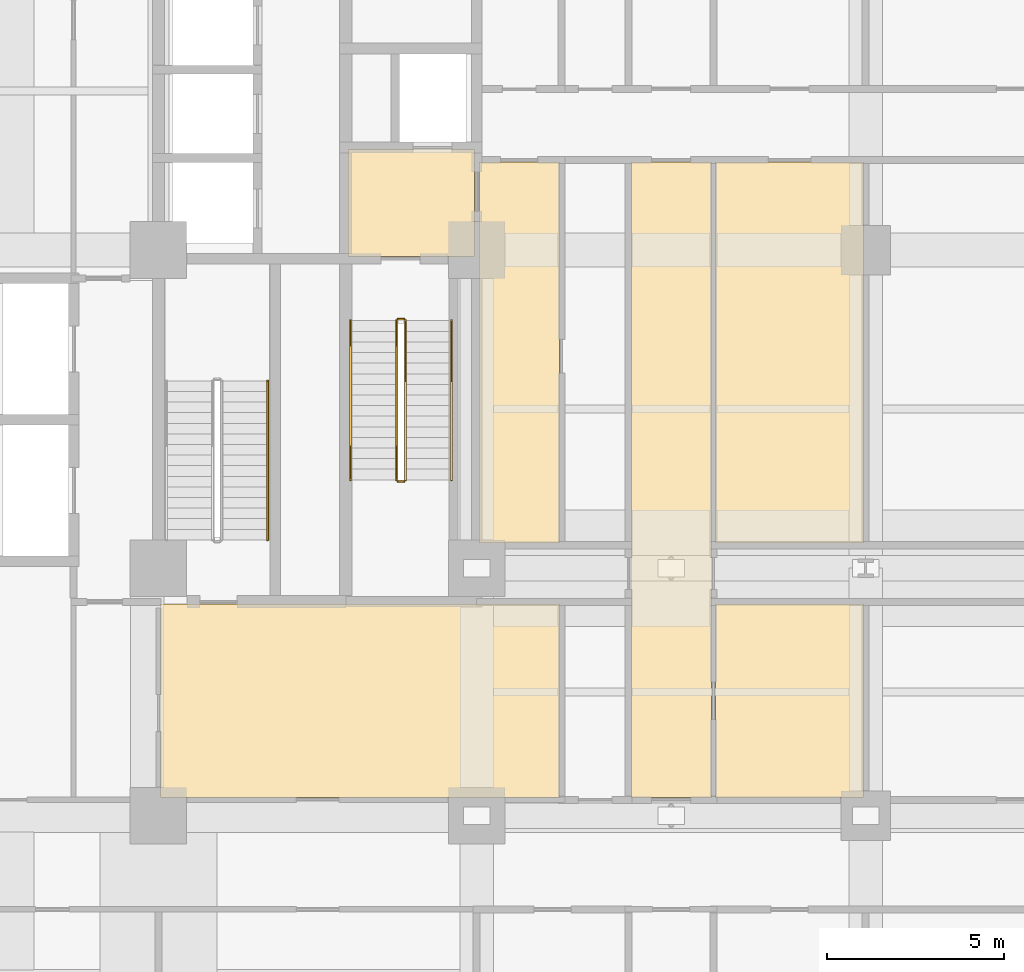
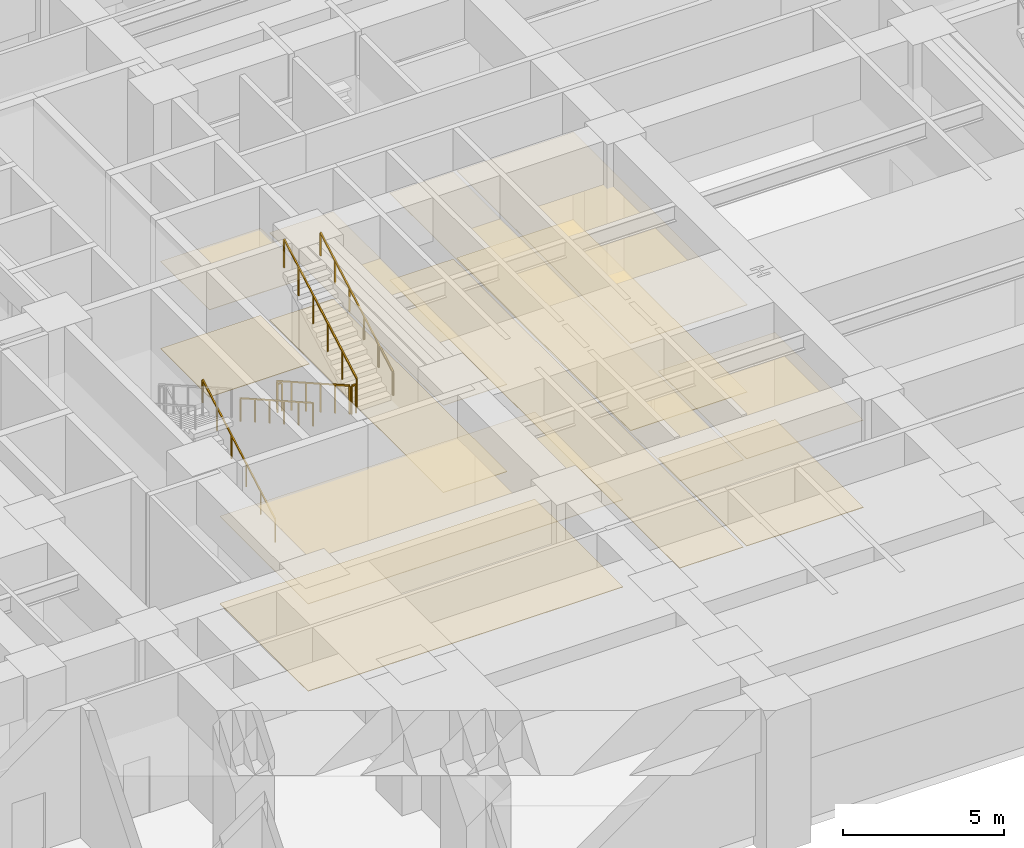
# One storey, part 18 of 22: 12 coverings, 7 railings.
"""IFC4 building model written with IfcOpenShell, lengths in metres."""

import ifcopenshell
import ifcopenshell.guid

model = None  # the IFC model being written
_history = None  # IfcOwnerHistory: only IFC2X3 demands one
_inside = {}  # id of a spatial element -> (the spatial element, [elements in it])
_under = {}  # id of a project, library or spatial element -> (it, [spatial elements below it])
_declared = {}  # id of a project -> (the project, [libraries it declares])
_typed = {}  # id of a type object -> (the type object, [elements of that type])
_made_of = {}  # id of a material, layer set ... -> (it, [elements and type objects made of it])


def new_model(schema):
    """Start an empty IFC model of exactly this schema.

    Asked for "IFC4X3", IfcOpenShell would pick the latest addendum, in which some entities
    have other attributes; the version numbers below select the first issue.
    IFC2X3 requires an IfcOwnerHistory on every rooted entity: one is made here for all.
    """
    global model, _history
    if schema == "IFC4X3":
        model = ifcopenshell.file(schema_version=(4, 3, 0, 0))
    else:
        model = ifcopenshell.file(schema=schema)
    _inside.clear()
    _under.clear()
    _declared.clear()
    _typed.clear()
    _made_of.clear()
    _history = None
    if model.schema == "IFC2X3":
        org = make("IfcOrganization", Name="unknown")
        user = make(
            "IfcPersonAndOrganization",
            ThePerson=make("IfcPerson", FamilyName="unknown"),
            TheOrganization=org,
        )
        app = make(
            "IfcApplication",
            ApplicationDeveloper=org,
            Version="unknown",
            ApplicationFullName="unknown",
            ApplicationIdentifier="unknown",
        )
        _history = make(
            "IfcOwnerHistory",
            OwningUser=user,
            OwningApplication=app,
            ChangeAction="ADDED",
            CreationDate=0,
        )
    return model


def make(cls, **values):
    """One entity of the class cls with the attributes given. An attribute that is None is left unset."""
    return model.create_entity(
        cls, **{name: value for name, value in values.items() if value is not None}
    )


def rooted(cls, **values):
    """An entity with a GlobalId (a new one), such as an element, a storey or a relation."""
    return make(cls, GlobalId=ifcopenshell.guid.new(), OwnerHistory=_history, **values)


def si_unit(unit_type, name, prefix=None):
    """IfcSIUnit, for example si_unit("LENGTHUNIT", "METRE", prefix="MILLI")."""
    return make("IfcSIUnit", UnitType=unit_type, Prefix=prefix, Name=name)


def assignment(units):
    """IfcUnitAssignment: the units of a project."""
    return None if units is None else make("IfcUnitAssignment", Units=units)


def point(xyz):
    """IfcCartesianPoint."""
    return None if xyz is None else make("IfcCartesianPoint", Coordinates=xyz)


def direction(xyz):
    """IfcDirection."""
    return None if xyz is None else make("IfcDirection", DirectionRatios=xyz)


def frame(location, z_axis=None, x_axis=None):
    """IfcAxis2Placement3D, a coordinate frame: its origin and axes. An axis left out is left unset."""
    return make(
        "IfcAxis2Placement3D",
        Location=point(location),
        Axis=direction(z_axis),
        RefDirection=direction(x_axis),
    )


def frame_2d(location, x_axis=None):
    """IfcAxis2Placement2D, a coordinate frame in the plane: its origin and x axis."""
    return make(
        "IfcAxis2Placement2D", Location=point(location), RefDirection=direction(x_axis)
    )


def origin():
    """The frame at (0, 0, 0) with its axes left unset."""
    return frame((0.0, 0.0, 0.0))


def origin_2d():
    """The frame at (0, 0) in the plane with its x axis left unset."""
    return frame_2d((0.0, 0.0))


def place(relative_to, where):
    """IfcLocalPlacement: puts the frame where relative to a parent placement (None: the world)."""
    return make(
        "IfcLocalPlacement", PlacementRelTo=relative_to, RelativePlacement=where
    )


def context(
    kind, dimensions, precision=None, world=None, true_north=None, identifier=None
):
    """IfcGeometricRepresentationContext, for example the 3D "Model" context."""
    return make(
        "IfcGeometricRepresentationContext",
        ContextIdentifier=identifier,
        ContextType=kind,
        CoordinateSpaceDimension=dimensions,
        Precision=precision,
        WorldCoordinateSystem=world,
        TrueNorth=true_north,
    )


def subcontext(parent, identifier, kind, view, scale=None):
    """IfcGeometricRepresentationSubContext, for example "Body" below "Model"."""
    return make(
        "IfcGeometricRepresentationSubContext",
        ContextIdentifier=identifier,
        ContextType=kind,
        ParentContext=parent,
        TargetScale=scale,
        TargetView=view,
    )


def project(units=None, contexts=None):
    """IfcProject with its units and contexts."""
    return rooted(
        "IfcProject",
        Name="project",
        RepresentationContexts=contexts,
        UnitsInContext=assignment(units),
    )


def spatial(cls, under=None, at=None, **own):
    """A site, building, storey or space (cls), placed at a placement, below another one or the project."""
    s = rooted(cls, ObjectPlacement=at, **own)
    if under is not None:
        _under.setdefault(under.id(), (under, []))[1].append(s)
    return s


def polyline(points):
    """IfcPolyline through the points."""
    return make("IfcPolyline", Points=[point(p) for p in points])


def profile(cls, at=None, kind="AREA", **sizes):
    """A parametric profile (cls). Its sizes go by their IFC names, for example OverallWidth=200.0."""
    return make(cls, ProfileType=kind, Position=at, **sizes)


def rectangle(**sizes):
    """IfcRectangleProfileDef."""
    return profile("IfcRectangleProfileDef", **sizes)


def outline(outer, holes=None, kind="AREA"):
    """IfcArbitraryClosedProfileDef: a profile drawn as a closed curve; with holes, ...WithVoids."""
    if holes is None:
        return make("IfcArbitraryClosedProfileDef", ProfileType=kind, OuterCurve=outer)
    return make(
        "IfcArbitraryProfileDefWithVoids",
        ProfileType=kind,
        OuterCurve=outer,
        InnerCurves=holes,
    )


def extrude(swept, where, along, depth):
    """IfcExtrudedAreaSolid: the profile swept, set in the frame where, extruded along a direction by depth."""
    return make(
        "IfcExtrudedAreaSolid",
        SweptArea=swept,
        Position=where,
        ExtrudedDirection=direction(along),
        Depth=depth,
    )


def shape(context_of_items, identifier, shape_type, items):
    """IfcShapeRepresentation: the items that make up one representation, for example the "Body"."""
    return make(
        "IfcShapeRepresentation",
        ContextOfItems=context_of_items,
        RepresentationIdentifier=identifier,
        RepresentationType=shape_type,
        Items=items,
    )


def material(Name=None, Category=None):
    """IfcMaterial."""
    return make("IfcMaterial", Name=Name, Category=Category)


def layer(
    of_material, thickness, ventilated=None, Name=None, Category=None, Priority=None
):
    """IfcMaterialLayer: one layer of a wall or slab, of a material (None: an air gap)."""
    return make(
        "IfcMaterialLayer",
        Material=of_material,
        LayerThickness=thickness,
        IsVentilated=ventilated,
        Name=Name,
        Category=Category,
        Priority=Priority,
    )


def layer_set(layers, Name=None):
    """IfcMaterialLayerSet."""
    return make("IfcMaterialLayerSet", MaterialLayers=layers, LayerSetName=Name)


def made_of(thing, what):
    """Note that an element or type object is made of a material, layer set ...; save() writes the relation."""
    if what is not None:
        _made_of.setdefault(what.id(), (what, []))[1].append(thing)
    return thing


def type_object(cls, material=None, **own):
    """A type object (cls), such as IfcWallType, which elements share."""
    return made_of(rooted(cls, **own), material)


def element(
    cls,
    number,
    at=None,
    inside=None,
    cuts=None,
    type_object=None,
    material=None,
    context=None,
    identifier="Body",
    shape_type=None,
    held_by="IfcProductDefinitionShape",
    body=None,
    shapes=None,
    **own,
):
    """One element of the class cls, such as IfcWall. Its Tag is "e" and its number.

    at: its placement. inside: the storey or other place that contains it. cuts: it is an
    opening in that element (IfcRelVoidsElement). A single representation is given by context,
    identifier, shape_type and body (its items); several are given by shapes. held_by: the class
    of the entity that holds the representations. save() writes the other relations.
    """
    e = rooted(cls, Tag="e%d" % number, ObjectPlacement=at, **own)
    if body is not None:
        shapes = [shape(context, identifier, shape_type, body)]
    if shapes is not None:
        e.Representation = make(held_by, Representations=shapes)
    if inside is not None:
        _inside.setdefault(inside.id(), (inside, []))[1].append(e)
    if cuts is not None:
        rooted(
            "IfcRelVoidsElement", RelatingBuildingElement=cuts, RelatedOpeningElement=e
        )
    if type_object is not None:
        _typed.setdefault(type_object.id(), (type_object, []))[1].append(e)
    return made_of(e, material)


def aggregate(whole, parts):
    """IfcRelAggregates: a whole, such as a stair, and the parts it consists of."""
    return rooted("IfcRelAggregates", RelatingObject=whole, RelatedObjects=parts)


def save(model, path):
    """Write the relations noted so far, then the file.

    IfcRelAggregates (storeys below a building ...), IfcRelContainedInSpatialStructure (elements
    in a storey), IfcRelDefinesByType, IfcRelAssociatesMaterial and IfcRelDeclares: one each for
    every whole, place, type object, material and project.
    """
    for whole, parts in _under.values():
        aggregate(whole, parts)
    for where, things in _inside.values():
        rooted(
            "IfcRelContainedInSpatialStructure",
            RelatedElements=things,
            RelatingStructure=where,
        )
    for kind, things in _typed.values():
        rooted("IfcRelDefinesByType", RelatedObjects=things, RelatingType=kind)
    for what, things in _made_of.values():
        rooted("IfcRelAssociatesMaterial", RelatedObjects=things, RelatingMaterial=what)
    for by, libraries in _declared.values():
        rooted("IfcRelDeclares", RelatingContext=by, RelatedDefinitions=libraries)
    model.write(path)


model = new_model("IFC4")

# Units and contexts
model_context = context("Model", 3, precision=1e-05, world=origin(), true_north=direction((0.0, 1.0)))
body_context = subcontext(model_context, "Body", "Model", "MODEL_VIEW")
ifc_project = project(units=[si_unit("LENGTHUNIT", "METRE"), si_unit("AREAUNIT", "SQUARE_METRE"), si_unit("VOLUMEUNIT", "CUBIC_METRE"), si_unit("PLANEANGLEUNIT", "RADIAN"), si_unit("MASSUNIT", "GRAM", prefix="KILO")], contexts=[model_context])

# Site, building, storey
site_placement = place(None, origin())
site = spatial("IfcSite", under=ifc_project, at=site_placement, CompositionType="ELEMENT")
building_placement = place(site_placement, origin())
building = spatial("IfcBuilding", under=site, at=building_placement, Name="Zulmaris Gate Convention Tower", CompositionType="ELEMENT")
storey_placement = place(building_placement, frame((0.0, 0.0, 21.760009765625)))
storey = spatial("IfcBuildingStorey", under=building, at=storey_placement, Name="L04", CompositionType="ELEMENT", Elevation=21.760009765625)

# Coverings
ifc_material_1 = material(Name="Mineral Fibre Acoustic Ceiling Tile")
ifc_layer_1 = layer(ifc_material_1, 0.02001953125, Name="Mineral Fibre Acoustic Ceiling Tile")
ifc_layer_set_1 = layer_set([ifc_layer_1], Name="Mineral Fibre Acoustic Ceiling Tile")
covering_type_1 = type_object("IfcCoveringType", Name="CLG-ACOUSTIC-600", PredefinedType="CEILING", material=ifc_layer_set_1)
covering_1_placement = place(storey_placement, frame((0.0, 0.0, 3.300048828125)))
element("IfcCovering", 1, at=covering_1_placement, inside=storey, type_object=covering_type_1, Name="CLG-L04-R03", PredefinedType="CEILING", context=body_context, shape_type="SweptSolid", body=[
    extrude(outline(polyline([(-14.639892578125, -0.18994140625), (-11.06005859375, -0.18994140625), (-11.06005859375, 2.840087890625), (-14.639892578125, 2.840087890625), (-14.639892578125, -0.18994140625)])), origin(), (0.0, 0.0, 1.0), 0.02001953125),
])
covering_2_placement = place(storey_placement, frame((0.0, 0.0, 3.300048828125)))
element("IfcCovering", 2, at=covering_2_placement, inside=storey, type_object=covering_type_1, Name="CLG-L04-R36", PredefinedType="CEILING", context=body_context, shape_type="SweptSolid", body=[
    extrude(outline(polyline([(-10.93994140625, -8.2900390625), (-8.659912109375, -8.2900390625), (-8.659912109375, 2.489990234375), (-10.93994140625, 2.489990234375), (-10.93994140625, -8.2900390625)])), origin(), (0.0, 0.0, 1.0), 0.02001953125),
])
covering_3_placement = place(storey_placement, frame((0.0, 0.0, 3.300048828125)))
element("IfcCovering", 3, at=covering_3_placement, inside=storey, type_object=covering_type_1, Name="CLG-L04-R50", PredefinedType="CEILING", context=body_context, shape_type="SweptSolid", body=[
    extrude(outline(polyline([(-19.93994140625, -15.489990234375), (-8.659912109375, -15.489990234375), (-8.659912109375, -10.010009765625), (-19.93994140625, -10.010009765625), (-19.93994140625, -15.489990234375)])), origin(), (0.0, 0.0, 1.0), 0.02001953125),
])
covering_4_placement = place(storey_placement, frame((0.0, 0.0, 3.300048828125)))
element("IfcCovering", 4, at=covering_4_placement, inside=storey, type_object=covering_type_1, Name="CLG-L04-R92", PredefinedType="CEILING", context=body_context, shape_type="SweptSolid", body=[
    extrude(outline(polyline([(-6.639892578125, -15.489990234375), (-4.360107421875, -15.489990234375), (-4.360107421875, 2.489990234375), (-6.639892578125, 2.489990234375), (-6.639892578125, -15.489990234375)])), origin(), (0.0, 0.0, 1.0), 0.02001953125),
])
covering_5_placement = place(storey_placement, frame((0.0, 0.0, 3.300048828125)))
element("IfcCovering", 5, at=covering_5_placement, inside=storey, type_object=covering_type_1, Name="CLG-L04-R95", PredefinedType="CEILING", context=body_context, shape_type="SweptSolid", body=[
    extrude(outline(polyline([(-4.239990234375, -15.489990234375), (-0.06005859375, -15.489990234375), (-0.06005859375, -10.010009765625), (-4.239990234375, -10.010009765625), (-4.239990234375, -15.489990234375)])), origin(), (0.0, 0.0, 1.0), 0.02001953125),
])
covering_6_placement = place(storey_placement, frame((0.0, 0.0, 3.300048828125)))
element("IfcCovering", 6, at=covering_6_placement, inside=storey, type_object=covering_type_1, Name="CLG-L04-R101", PredefinedType="CEILING", context=body_context, shape_type="SweptSolid", body=[
    extrude(outline(polyline([(-4.239990234375, -8.2900390625), (-0.06005859375, -8.2900390625), (-0.06005859375, 2.489990234375), (-4.239990234375, 2.489990234375), (-4.239990234375, -8.2900390625)])), origin(), (0.0, 0.0, 1.0), 0.02001953125),
])
ifc_material_2 = material(Name="Woven Acoustic Wool Carpet Tile")
ifc_layer_2 = layer(ifc_material_2, 0.02001953125, Name="Woven Acoustic Wool Carpet Tile")
ifc_layer_set_2 = layer_set([ifc_layer_2], Name="Woven Acoustic Wool Carpet Tile")
covering_type_2 = type_object("IfcCoveringType", Name="FLR-CARPET-12", PredefinedType="FLOORING", material=ifc_layer_set_2)
covering_7_placement = place(storey_placement, origin())
element("IfcCovering", 7, at=covering_7_placement, inside=storey, type_object=covering_type_2, Name="FLR-L04-R03", PredefinedType="FLOORING", context=body_context, shape_type="SweptSolid", body=[
    extrude(outline(polyline([(-14.639892578125, -0.18994140625), (-11.06005859375, -0.18994140625), (-11.06005859375, 2.840087890625), (-14.639892578125, 2.840087890625), (-14.639892578125, -0.18994140625)])), origin(), (0.0, 0.0, 1.0), 0.02001953125),
])
covering_8_placement = place(storey_placement, origin())
element("IfcCovering", 8, at=covering_8_placement, inside=storey, type_object=covering_type_2, Name="FLR-L04-R36", PredefinedType="FLOORING", context=body_context, shape_type="SweptSolid", body=[
    extrude(outline(polyline([(-10.93994140625, -8.2900390625), (-8.659912109375, -8.2900390625), (-8.659912109375, 2.489990234375), (-10.93994140625, 2.489990234375), (-10.93994140625, -8.2900390625)])), origin(), (0.0, 0.0, 1.0), 0.02001953125),
])
covering_9_placement = place(storey_placement, origin())
element("IfcCovering", 9, at=covering_9_placement, inside=storey, type_object=covering_type_2, Name="FLR-L04-R50", PredefinedType="FLOORING", context=body_context, shape_type="SweptSolid", body=[
    extrude(outline(polyline([(-19.93994140625, -15.489990234375), (-8.659912109375, -15.489990234375), (-8.659912109375, -10.010009765625), (-19.93994140625, -10.010009765625), (-19.93994140625, -15.489990234375)])), origin(), (0.0, 0.0, 1.0), 0.02001953125),
])
covering_10_placement = place(storey_placement, origin())
element("IfcCovering", 10, at=covering_10_placement, inside=storey, type_object=covering_type_2, Name="FLR-L04-R92", PredefinedType="FLOORING", context=body_context, shape_type="SweptSolid", body=[
    extrude(outline(polyline([(-6.639892578125, -15.489990234375), (-4.360107421875, -15.489990234375), (-4.360107421875, 2.489990234375), (-6.639892578125, 2.489990234375), (-6.639892578125, -15.489990234375)])), origin(), (0.0, 0.0, 1.0), 0.02001953125),
])
ifc_material_3 = material(Name="Polished Granite Terrazzo Tile", Category="masonry")
ifc_layer_3 = layer(ifc_material_3, 0.02001953125, Name="Polished Granite Terrazzo Tile")
ifc_layer_set_3 = layer_set([ifc_layer_3], Name="Polished Granite Terrazzo Tile")
covering_type_3 = type_object("IfcCoveringType", Name="FLR-TERRAZZO-30", PredefinedType="FLOORING", material=ifc_layer_set_3)
covering_11_placement = place(storey_placement, origin())
element("IfcCovering", 11, at=covering_11_placement, inside=storey, type_object=covering_type_3, Name="FLR-L04-R101", PredefinedType="FLOORING", context=body_context, shape_type="SweptSolid", body=[
    extrude(outline(polyline([(-4.239990234375, -8.2900390625), (-0.06005859375, -8.2900390625), (-0.06005859375, 2.489990234375), (-4.239990234375, 2.489990234375), (-4.239990234375, -8.2900390625)])), origin(), (0.0, 0.0, 1.0), 0.02001953125),
])
ifc_material_4 = material(Name="Engineered Teak Parquet Flooring")
ifc_layer_4 = layer(ifc_material_4, 0.02001953125, Name="Engineered Teak Parquet Flooring")
ifc_layer_set_4 = layer_set([ifc_layer_4], Name="Engineered Teak Parquet Flooring")
covering_type_4 = type_object("IfcCoveringType", Name="FLR-TIMBER-18", PredefinedType="FLOORING", material=ifc_layer_set_4)
covering_12_placement = place(storey_placement, origin())
element("IfcCovering", 12, at=covering_12_placement, inside=storey, type_object=covering_type_4, Name="FLR-L04-R95", PredefinedType="FLOORING", context=body_context, shape_type="SweptSolid", body=[
    extrude(outline(polyline([(-4.239990234375, -15.489990234375), (-0.06005859375, -15.489990234375), (-0.06005859375, -10.010009765625), (-4.239990234375, -10.010009765625), (-4.239990234375, -15.489990234375)])), origin(), (0.0, 0.0, 1.0), 0.02001953125),
])

# Railings
ifc_material_5 = material(Name="Painted Galvanised Steel", Category="steel")
railing_type_1 = type_object("IfcRailingType", Name="RL-STG-1150", PredefinedType="GUARDRAIL", material=ifc_material_5)
railing_1_placement = place(storey_placement, frame((-13.27001953125, -2.0, 0.169921875)))
element("IfcRailing", 13, at=railing_1_placement, inside=storey, type_object=railing_type_1, Name="L04 ST-1 stair guard 1", PredefinedType="GUARDRAIL", context=body_context, shape_type="SweptSolid", body=[
    extrude(rectangle(XDim=0.048095703125, YDim=0.048095703125, at=origin_2d()), frame((0.0, 0.0, 1.076171875), z_axis=(0.0, -0.870018136573, 0.493019717692), x_axis=(1.0, 0.0, 0.0)), (0.0, 0.0, 1.0), 5.17236328125),
    extrude(rectangle(XDim=0.0419921875, YDim=0.0419921875, at=origin_2d()), origin(), (0.0, 0.0, 1.0), 1.052001953125),
    extrude(rectangle(XDim=0.0419921875, YDim=0.0419921875, at=origin_2d()), frame((0.0, -0.89990234375, 0.510009765625)), (0.0, 0.0, 1.0), 1.052001953125),
    extrude(rectangle(XDim=0.0419921875, YDim=0.0419921875, at=origin_2d()), frame((0.0, -1.800048828125, 1.02001953125)), (0.0, 0.0, 1.0), 1.052001953125),
    extrude(rectangle(XDim=0.0419921875, YDim=0.0419921875, at=origin_2d()), frame((0.0, -2.699951171875, 1.530029296875)), (0.0, 0.0, 1.0), 1.052001953125),
    extrude(rectangle(XDim=0.0419921875, YDim=0.0419921875, at=origin_2d()), frame((0.0, -3.60009765625, 2.0400390625)), (0.0, 0.0, 1.0), 1.052001953125),
    extrude(rectangle(XDim=0.0419921875, YDim=0.0419921875, at=origin_2d()), frame((0.0, -4.5, 2.550048828125)), (0.0, 0.0, 1.0), 1.052001953125),
])
railing_2_placement = place(storey_placement, frame((-13.219970703125, -6.550048828125, 2.719970703125)))
element("IfcRailing", 14, at=railing_2_placement, inside=storey, type_object=railing_type_1, Name="L04 ST-1 stair guard 2", PredefinedType="GUARDRAIL", context=body_context, shape_type="SweptSolid", body=[
    extrude(rectangle(XDim=0.048095703125, YDim=0.048095703125, at=origin_2d()), frame((0.0, 0.0, 1.076171875), z_axis=(1.0, 0.0, 0.0), x_axis=(0.0, 1.0, 0.0)), (0.0, 0.0, 1.0), 0.159912109375),
    extrude(rectangle(XDim=0.0419921875, YDim=0.0419921875, at=origin_2d()), origin(), (0.0, 0.0, 1.0), 1.052001953125),
    extrude(rectangle(XDim=0.0419921875, YDim=0.0419921875, at=origin_2d()), frame((0.159912109375, 0.0, 0.0)), (0.0, 0.0, 1.0), 1.052001953125),
])
railing_3_placement = place(storey_placement, frame((-13.010009765625, -6.5, 2.889892578125)))
element("IfcRailing", 15, at=railing_3_placement, inside=storey, type_object=railing_type_1, Name="L04 ST-1 stair guard 3", PredefinedType="GUARDRAIL", context=body_context, shape_type="SweptSolid", body=[
    extrude(rectangle(XDim=0.048095703125, YDim=0.048095703125, at=origin_2d()), frame((0.0, 0.0, 1.076171875), z_axis=(0.0, 0.870018136573, 0.493019717692), x_axis=(-1.0, 0.0, 0.0)), (0.0, 0.0, 1.0), 5.17236328125),
    extrude(rectangle(XDim=0.0419921875, YDim=0.0419921875, at=origin_2d()), origin(), (0.0, 0.0, 1.0), 1.052001953125),
    extrude(rectangle(XDim=0.0419921875, YDim=0.0419921875, at=origin_2d()), frame((0.0, 0.89990234375, 0.510009765625)), (0.0, 0.0, 1.0), 1.052001953125),
    extrude(rectangle(XDim=0.0419921875, YDim=0.0419921875, at=origin_2d()), frame((0.0, 1.800048828125, 1.02001953125)), (0.0, 0.0, 1.0), 1.052001953125),
    extrude(rectangle(XDim=0.0419921875, YDim=0.0419921875, at=origin_2d()), frame((0.0, 2.699951171875, 1.530029296875)), (0.0, 0.0, 1.0), 1.052001953125),
    extrude(rectangle(XDim=0.0419921875, YDim=0.0419921875, at=origin_2d()), frame((0.0, 3.60009765625, 2.0400390625)), (0.0, 0.0, 1.0), 1.052001953125),
    extrude(rectangle(XDim=0.0419921875, YDim=0.0419921875, at=origin_2d()), frame((0.0, 4.5, 2.550048828125)), (0.0, 0.0, 1.0), 1.052001953125),
])
railing_4_placement = place(storey_placement, frame((-13.219970703125, -1.949951171875, 0.0)))
element("IfcRailing", 16, at=railing_4_placement, inside=storey, type_object=railing_type_1, Name="L04 ST-1 stair guard 4", PredefinedType="GUARDRAIL", context=body_context, shape_type="SweptSolid", body=[
    extrude(rectangle(XDim=0.048095703125, YDim=0.048095703125, at=origin_2d()), frame((0.0, 0.0, 1.076171875), z_axis=(1.0, 0.0, 0.0), x_axis=(0.0, 1.0, 0.0)), (0.0, 0.0, 1.0), 0.159912109375),
    extrude(rectangle(XDim=0.0419921875, YDim=0.0419921875, at=origin_2d()), origin(), (0.0, 0.0, 1.0), 1.052001953125),
    extrude(rectangle(XDim=0.0419921875, YDim=0.0419921875, at=origin_2d()), frame((0.159912109375, 0.0, 0.0)), (0.0, 0.0, 1.0), 1.052001953125),
])
ifc_material_6 = material(Name="Brushed Stainless Steel", Category="steel")
railing_type_2 = type_object("IfcRailingType", Name="RL-STH-900", PredefinedType="HANDRAIL", material=ifc_material_6)
railing_5_placement = place(storey_placement, frame((-14.570068359375, -2.0, 0.169921875)))
element("IfcRailing", 17, at=railing_5_placement, inside=storey, type_object=railing_type_2, Name="L04 ST-1 stair handrail 1", PredefinedType="HANDRAIL", context=body_context, shape_type="SweptSolid", body=[
    extrude(rectangle(XDim=0.048095703125, YDim=0.048095703125, at=origin_2d()), frame((0.0, 0.0, 0.8759765625), z_axis=(0.0, -0.870018136573, 0.493019717692), x_axis=(1.0, 0.0, 0.0)), (0.0, 0.0, 1.0), 5.17236328125),
    extrude(rectangle(XDim=0.0419921875, YDim=0.0419921875, at=origin_2d()), origin(), (0.0, 0.0, 1.0), 0.851806640625),
    extrude(rectangle(XDim=0.0419921875, YDim=0.0419921875, at=origin_2d()), frame((0.0, -0.89990234375, 0.510009765625)), (0.0, 0.0, 1.0), 0.851806640625),
    extrude(rectangle(XDim=0.0419921875, YDim=0.0419921875, at=origin_2d()), frame((0.0, -1.800048828125, 1.02001953125)), (0.0, 0.0, 1.0), 0.851806640625),
    extrude(rectangle(XDim=0.0419921875, YDim=0.0419921875, at=origin_2d()), frame((0.0, -2.699951171875, 1.530029296875)), (0.0, 0.0, 1.0), 0.851806640625),
    extrude(rectangle(XDim=0.0419921875, YDim=0.0419921875, at=origin_2d()), frame((0.0, -3.60009765625, 2.0400390625)), (0.0, 0.0, 1.0), 0.851806640625),
    extrude(rectangle(XDim=0.0419921875, YDim=0.0419921875, at=origin_2d()), frame((0.0, -4.5, 2.550048828125)), (0.0, 0.0, 1.0), 0.851806640625),
])
for number, where, name in (
    (18, (-11.7099609375, -6.5, 2.889892578125), "L04 ST-1 stair handrail 2"),
    (19, (-16.909912109375, -8.199951171875, 0.169921875), "L04 ST-3 stair handrail 1"),
):
    element("IfcRailing", number, at=place(storey_placement, frame(where)), inside=storey, type_object=railing_type_2, Name=name, PredefinedType="HANDRAIL", context=body_context, shape_type="SweptSolid", body=[
        extrude(rectangle(XDim=0.048095703125, YDim=0.048095703125, at=origin_2d()), frame((0.0, 0.0, 0.8759765625), z_axis=(0.0, 0.870018136573, 0.493019717692), x_axis=(-1.0, 0.0, 0.0)), (0.0, 0.0, 1.0), 5.17236328125),
        extrude(rectangle(XDim=0.0419921875, YDim=0.0419921875, at=origin_2d()), origin(), (0.0, 0.0, 1.0), 0.851806640625),
        extrude(rectangle(XDim=0.0419921875, YDim=0.0419921875, at=origin_2d()), frame((0.0, 0.89990234375, 0.510009765625)), (0.0, 0.0, 1.0), 0.851806640625),
        extrude(rectangle(XDim=0.0419921875, YDim=0.0419921875, at=origin_2d()), frame((0.0, 1.800048828125, 1.02001953125)), (0.0, 0.0, 1.0), 0.851806640625),
        extrude(rectangle(XDim=0.0419921875, YDim=0.0419921875, at=origin_2d()), frame((0.0, 2.699951171875, 1.530029296875)), (0.0, 0.0, 1.0), 0.851806640625),
        extrude(rectangle(XDim=0.0419921875, YDim=0.0419921875, at=origin_2d()), frame((0.0, 3.60009765625, 2.0400390625)), (0.0, 0.0, 1.0), 0.851806640625),
        extrude(rectangle(XDim=0.0419921875, YDim=0.0419921875, at=origin_2d()), frame((0.0, 4.5, 2.550048828125)), (0.0, 0.0, 1.0), 0.851806640625),
    ])

save(model, "model.ifc")
